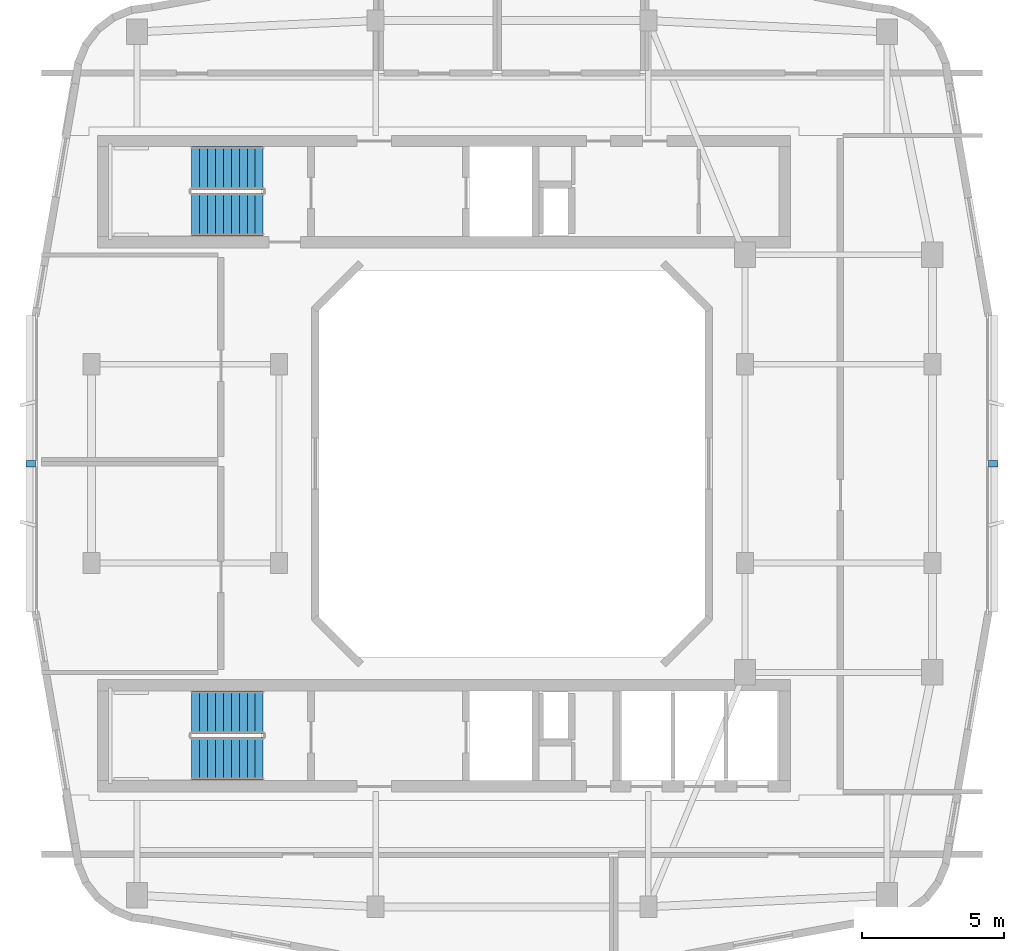
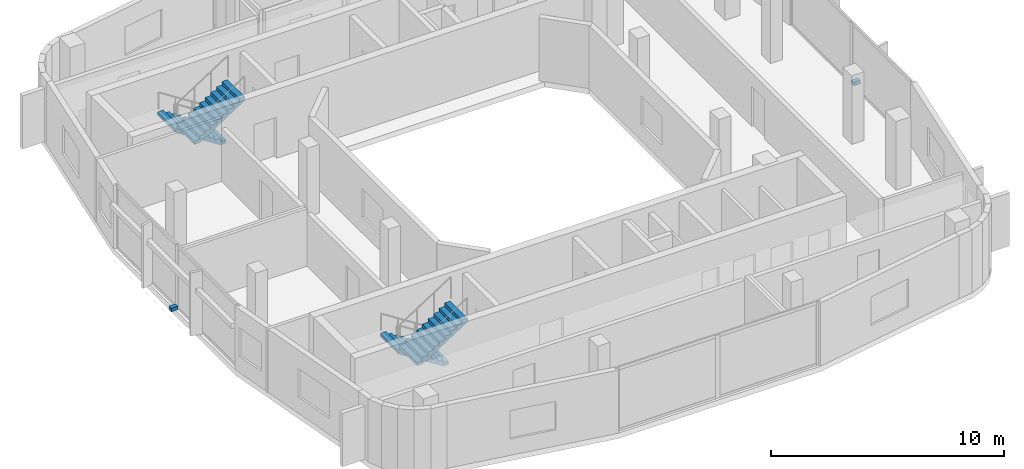
# One storey, part 6 of 10: 4 stair flights, 2 discrete accessories, 2 elements without a shape of their own.
"""IFC4 building model written with IfcOpenShell, lengths in metres."""

from ifc_helpers import new_model, si_unit, derived_unit, direction, frame, origin, origin_2d, place, context, subcontext, project, spatial, polyline, rectangle, outline, extrude, material, type_object, element, aggregate, save


model = new_model("IFC4")

# Units and contexts
model_context = context("Model", 3, precision=1e-05, world=origin(), true_north=direction((0.0, 1.0)))
body_context = subcontext(model_context, "Body", "Model", "MODEL_VIEW")
ifc_project = project(units=[si_unit("LENGTHUNIT", "METRE"), si_unit("AREAUNIT", "SQUARE_METRE"), si_unit("VOLUMEUNIT", "CUBIC_METRE"), si_unit("PLANEANGLEUNIT", "RADIAN"), si_unit("MASSUNIT", "GRAM", prefix="KILO"), derived_unit("THERMALTRANSMITTANCEUNIT", [(si_unit("POWERUNIT", "WATT"), 1), (si_unit("LENGTHUNIT", "METRE"), -2), (si_unit("THERMODYNAMICTEMPERATUREUNIT", "KELVIN"), -1)])], contexts=[model_context])

# Site, building, storey
site_placement = place(None, origin())
site = spatial("IfcSite", under=ifc_project, at=site_placement, CompositionType="ELEMENT")
building_placement = place(site_placement, origin())
building = spatial("IfcBuilding", under=site, at=building_placement, Name="Kivonza Crest Hotel", CompositionType="ELEMENT")
storey_placement = place(building_placement, frame((0.0, 0.0, 264.800048828125)))
storey = spatial("IfcBuildingStorey", under=building, at=storey_placement, Name="L72", CompositionType="ELEMENT", Elevation=264.800048828125)

# Stair, stair flights
ifc_material_1 = material(Name="Concrete C40/50", Category="concrete")
stair_type = type_object("IfcStairType", Name="ST-DL-20R", PredefinedType="HALF_TURN_STAIR", material=ifc_material_1)
stair_1_placement = place(storey_placement, origin())
stair_1 = element("IfcStair", 1, at=stair_1_placement, inside=storey, type_object=stair_type, Name="L72 Protected Exit Stair ST-T1-N", PredefinedType="HALF_TURN_STAIR")
stair_flight_type = type_object("IfcStairFlightType", Name="SFL-RC-10R", PredefinedType="STRAIGHT", material=ifc_material_1)
stair_flight_1_placement = place(storey_placement, frame((12.239990234375, 35.409912109375, 0.0), z_axis=(0.0, 0.0, 1.0), x_axis=(-1.0, 0.0, 0.0)))
stair_flight_1 = element("IfcStairFlight", 2, at=stair_flight_1_placement, type_object=stair_flight_type, Name="ST-T1-N flight 1", NumberOfRisers=10, NumberOfTreads=9, PredefinedType="STRAIGHT", RiserHeight=0.18, TreadLength=0.28, context=body_context, shape_type="SweptSolid", body=[
    extrude(outline(polyline([(0.0, 0.0), (0.0, 0.179931640625), (0.280029296875, 0.179931640625), (0.280029296875, 0.360107421875), (0.56005859375, 0.360107421875), (0.56005859375, 0.5400390625), (0.840087890625, 0.5400390625), (0.840087890625, 0.719970703125), (1.1201171875, 0.719970703125), (1.1201171875, 0.89990234375), (1.39990234375, 0.89990234375), (1.39990234375, 1.080078125), (1.679931640625, 1.080078125), (1.679931640625, 1.260009765625), (1.9599609375, 1.260009765625), (1.9599609375, 1.43994140625), (2.239990234375, 1.43994140625), (2.239990234375, 1.6201171875), (2.52001953125, 1.6201171875), (2.52001953125, 1.800048828125), (2.52001953125, 1.44189453125), (0.277099609375, 0.0), (0.0, 0.0)])), frame((0.0, 0.75, 0.0), z_axis=(0.0, -1.0, 0.0), x_axis=(1.0, 0.0, 0.0)), (0.0, 0.0, 1.0), 1.5),
])
stair_flight_2_placement = place(storey_placement, frame((9.719970703125, 33.77001953125, 1.800048828125), z_axis=(0.0, 0.0, 1.0), x_axis=(1.0, 0.0, 0.0)))
stair_flight_2 = element("IfcStairFlight", 3, at=stair_flight_2_placement, type_object=stair_flight_type, Name="ST-T1-N flight 2", NumberOfRisers=10, NumberOfTreads=9, PredefinedType="STRAIGHT", RiserHeight=0.18, TreadLength=0.28, context=body_context, shape_type="SweptSolid", body=[
    extrude(outline(polyline([(0.0, 0.0), (0.0, 0.179931640625), (0.280029296875, 0.179931640625), (0.280029296875, 0.360107421875), (0.56005859375, 0.360107421875), (0.56005859375, 0.5400390625), (0.840087890625, 0.5400390625), (0.840087890625, 0.719970703125), (1.1201171875, 0.719970703125), (1.1201171875, 0.89990234375), (1.39990234375, 0.89990234375), (1.39990234375, 1.080078125), (1.679931640625, 1.080078125), (1.679931640625, 1.260009765625), (1.9599609375, 1.260009765625), (1.9599609375, 1.43994140625), (2.239990234375, 1.43994140625), (2.239990234375, 1.6201171875), (2.52001953125, 1.6201171875), (2.52001953125, 1.800048828125), (2.52001953125, 1.44189453125), (0.277099609375, 0.0), (0.0, 0.0)])), frame((0.0, 0.75, 0.0), z_axis=(0.0, -1.0, 0.0), x_axis=(1.0, 0.0, 0.0)), (0.0, 0.0, 1.0), 1.5),
])
aggregate(stair_1, [stair_flight_1, stair_flight_2])

stair_2_placement = place(storey_placement, origin())
stair_2 = element("IfcStair", 4, at=stair_2_placement, inside=storey, type_object=stair_type, Name="L72 Protected Exit Stair ST-T1-S", PredefinedType="HALF_TURN_STAIR")
stair_flight_3_placement = place(storey_placement, frame((12.239990234375, 16.25, 0.0), z_axis=(0.0, 0.0, 1.0), x_axis=(-1.0, 0.0, 0.0)))
stair_flight_3 = element("IfcStairFlight", 5, at=stair_flight_3_placement, type_object=stair_flight_type, Name="ST-T1-S flight 1", NumberOfRisers=10, NumberOfTreads=9, PredefinedType="STRAIGHT", RiserHeight=0.18, TreadLength=0.28, context=body_context, shape_type="SweptSolid", body=[
    extrude(outline(polyline([(0.0, 0.0), (0.0, 0.179931640625), (0.280029296875, 0.179931640625), (0.280029296875, 0.360107421875), (0.56005859375, 0.360107421875), (0.56005859375, 0.5400390625), (0.840087890625, 0.5400390625), (0.840087890625, 0.719970703125), (1.1201171875, 0.719970703125), (1.1201171875, 0.89990234375), (1.39990234375, 0.89990234375), (1.39990234375, 1.080078125), (1.679931640625, 1.080078125), (1.679931640625, 1.260009765625), (1.9599609375, 1.260009765625), (1.9599609375, 1.43994140625), (2.239990234375, 1.43994140625), (2.239990234375, 1.6201171875), (2.52001953125, 1.6201171875), (2.52001953125, 1.800048828125), (2.52001953125, 1.44189453125), (0.277099609375, 0.0), (0.0, 0.0)])), frame((0.0, 0.75, 0.0), z_axis=(0.0, -1.0, 0.0), x_axis=(1.0, 0.0, 0.0)), (0.0, 0.0, 1.0), 1.5),
])
stair_flight_4_placement = place(storey_placement, frame((9.719970703125, 14.610107421875, 1.800048828125), z_axis=(0.0, 0.0, 1.0), x_axis=(1.0, 0.0, 0.0)))
stair_flight_4 = element("IfcStairFlight", 6, at=stair_flight_4_placement, type_object=stair_flight_type, Name="ST-T1-S flight 2", NumberOfRisers=10, NumberOfTreads=9, PredefinedType="STRAIGHT", RiserHeight=0.18, TreadLength=0.28, context=body_context, shape_type="SweptSolid", body=[
    extrude(outline(polyline([(0.0, 0.0), (0.0, 0.179931640625), (0.280029296875, 0.179931640625), (0.280029296875, 0.360107421875), (0.56005859375, 0.360107421875), (0.56005859375, 0.5400390625), (0.840087890625, 0.5400390625), (0.840087890625, 0.719970703125), (1.1201171875, 0.719970703125), (1.1201171875, 0.89990234375), (1.39990234375, 0.89990234375), (1.39990234375, 1.080078125), (1.679931640625, 1.080078125), (1.679931640625, 1.260009765625), (1.9599609375, 1.260009765625), (1.9599609375, 1.43994140625), (2.239990234375, 1.43994140625), (2.239990234375, 1.6201171875), (2.52001953125, 1.6201171875), (2.52001953125, 1.800048828125), (2.52001953125, 1.44189453125), (0.277099609375, 0.0), (0.0, 0.0)])), frame((0.0, 0.75, 0.0), z_axis=(0.0, -1.0, 0.0), x_axis=(1.0, 0.0, 0.0)), (0.0, 0.0, 1.0), 1.5),
])
aggregate(stair_2, [stair_flight_3, stair_flight_4])

# Discrete accessories
ifc_material_2 = material(Name="Stainless steel 316", Category="steel")
discrete_accessory_type = type_object("IfcDiscreteAccessoryType", Name="AC-BRACKET-240", PredefinedType="BRACKET", material=ifc_material_2)
for number, where, z_axis, x_axis, name in (
    (7, (37.93994140625, 25.0, -0.01025390625), (0.0, 0.0, 1.0), (0.0, 1.0, 0.0), "L72 terracotta baguette support bracket CW-T1-L72-17"),
    (8, (4.06005859375, 25.0, -0.01025390625), (0.0, 0.0, 1.0), (0.0, -1.0, 0.0), "L72 terracotta baguette support bracket CW-T1-L72-35"),
):
    element("IfcDiscreteAccessory", number, at=place(storey_placement, frame(where, z_axis=z_axis, x_axis=x_axis)), inside=storey, type_object=discrete_accessory_type, Name=name, PredefinedType="BRACKET", context=body_context, shape_type="SweptSolid", body=[
        extrude(rectangle(XDim=0.219970703125, YDim=0.340087890625, at=origin_2d()), origin(), (0.0, 0.0, 1.0), 0.179931640625),
    ])

save(model, "model.ifc")
